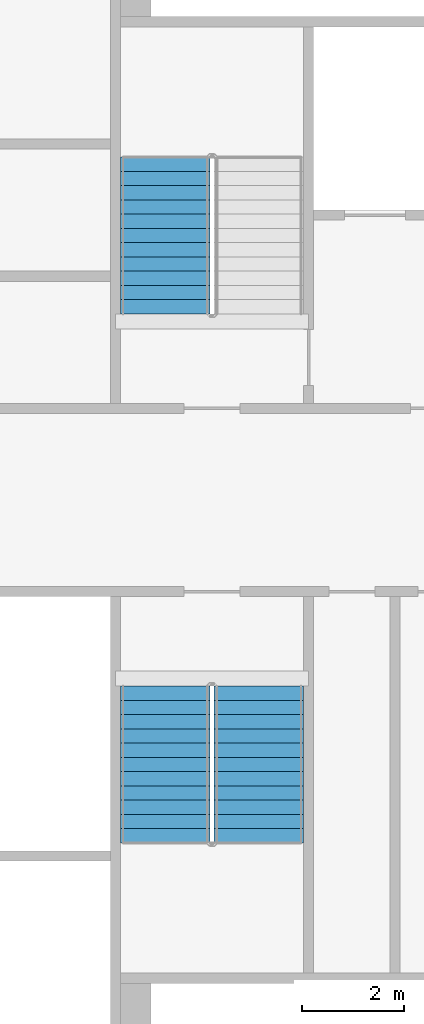
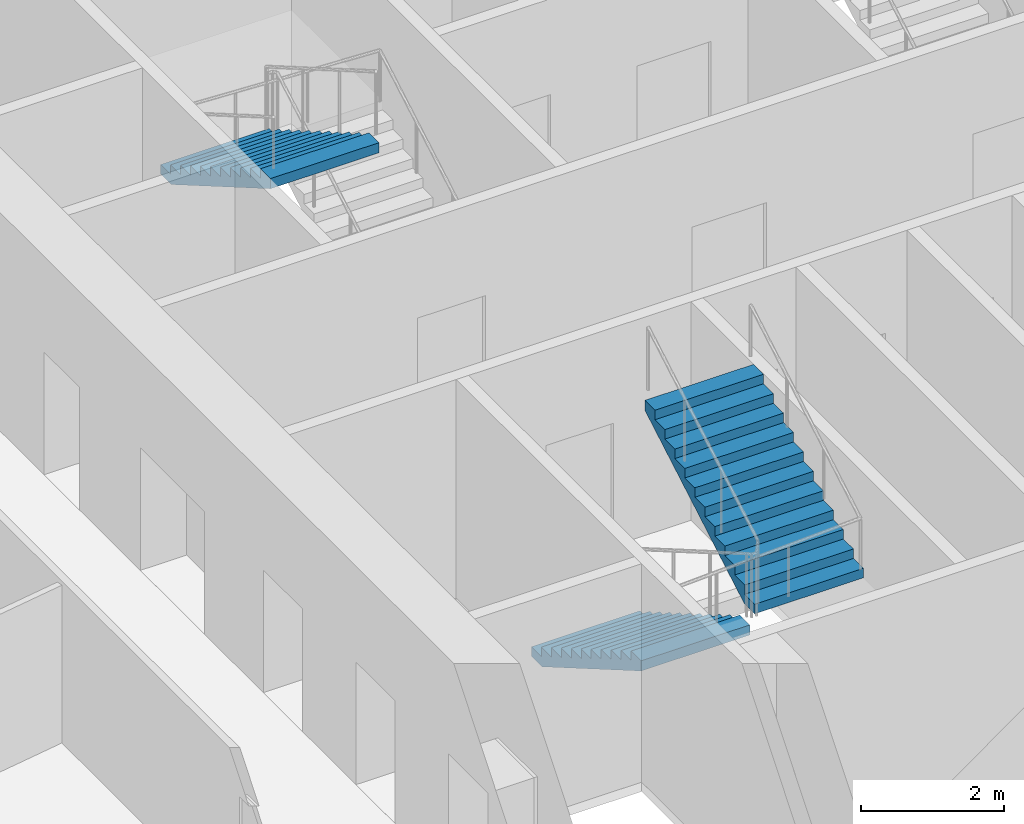
# One storey, part 16 of 24: 3 stair flights, 2 elements without a shape of their own.
"""IFC4 building model written with IfcOpenShell, lengths in metres."""

from ifc_helpers import new_model, si_unit, direction, frame, origin, place, context, subcontext, project, spatial, faceted_brep, material, type_object, element, aggregate, save


model = new_model("IFC4")

# Units and contexts
model_context = context("Model", 3, precision=1e-05, world=origin(), true_north=direction((0.0, 1.0)))
body_context = subcontext(model_context, "Body", "Model", "MODEL_VIEW")
ifc_project = project(units=[si_unit("LENGTHUNIT", "METRE"), si_unit("AREAUNIT", "SQUARE_METRE"), si_unit("VOLUMEUNIT", "CUBIC_METRE"), si_unit("PLANEANGLEUNIT", "RADIAN"), si_unit("MASSUNIT", "GRAM", prefix="KILO")], contexts=[model_context])

# Site, building, storey
site_placement = place(None, origin())
site = spatial("IfcSite", under=ifc_project, at=site_placement, CompositionType="ELEMENT")
building_placement = place(site_placement, origin())
building = spatial("IfcBuilding", under=site, at=building_placement, Name="Tarsis Ring Headquarters", CompositionType="ELEMENT")
storey_placement = place(building_placement, frame((0.0, 0.0, 92.800048828125)))
storey = spatial("IfcBuildingStorey", under=building, at=storey_placement, Name="L20", CompositionType="ELEMENT", Elevation=92.800048828125)

# Stair, stair flight
ifc_material_1 = material(Name="Core stair 1760")
stair_type = type_object("IfcStairType", Name="Core stair 1760", PredefinedType="HALF_TURN_STAIR", material=ifc_material_1)
stair_1_placement = place(storey_placement, origin())
stair_1 = element("IfcStair", 1, at=stair_1_placement, inside=storey, type_object=stair_type, Name="L20 Firefighting stair", PredefinedType="HALF_TURN_STAIR")
ifc_material_2 = material(Name="Concrete C40/50", Category="concrete")
stair_flight_type = type_object("IfcStairFlightType", Name="Core stair flight 1760", PredefinedType="STRAIGHT", material=ifc_material_2)
stair_flight_1_placement = place(storey_placement, frame((-5.419921875, 6.739990234375, 1.949951171875), z_axis=(0.0, 0.0, 1.0), x_axis=(0.0, -1.0, 0.0)))
stair_flight_1 = element("IfcStairFlight", 2, at=stair_flight_1_placement, type_object=stair_flight_type, Name="Stair ST1 flight 2", NumberOfRisers=12, NumberOfTreads=11, PredefinedType="STRAIGHT", RiserHeight=0.1625, TreadLength=0.28, context=body_context, shape_type="Brep", body=[
    faceted_brep([(0.0, 0.8798828125, 0.0), (0.0, 0.8798828125, 0.16259765625), (0.280029296875, 0.8798828125, 0.16259765625), (0.280029296875, 0.8798828125, 0.324951171875), (0.56005859375, 0.8798828125, 0.324951171875), (0.56005859375, 0.8798828125, 0.487548828125), (0.840087890625, 0.8798828125, 0.487548828125), (0.840087890625, 0.8798828125, 0.64990234375), (1.1201171875, 0.8798828125, 0.64990234375), (1.1201171875, 0.8798828125, 0.8125), (1.39990234375, 0.8798828125, 0.8125), (1.39990234375, 0.8798828125, 0.97509765625), (1.679931640625, 0.8798828125, 0.97509765625), (1.679931640625, 0.8798828125, 1.137451171875), (1.9599609375, 0.8798828125, 1.137451171875), (1.9599609375, 0.8798828125, 1.300048828125), (2.239990234375, 0.8798828125, 1.300048828125), (2.239990234375, 0.8798828125, 1.46240234375), (2.52001953125, 0.8798828125, 1.46240234375), (2.52001953125, 0.8798828125, 1.625), (2.800048828125, 0.8798828125, 1.625), (2.800048828125, 0.8798828125, 1.78759765625), (3.080078125, 0.8798828125, 1.78759765625), (3.080078125, 0.8798828125, 1.6142578125), (0.298583984375, 0.8798828125, 0.0), (0.298583984375, -0.8798828125, 0.0), (3.080078125, -0.8798828125, 1.6142578125), (3.080078125, -0.8798828125, 1.78759765625), (2.800048828125, -0.8798828125, 1.78759765625), (2.800048828125, -0.8798828125, 1.625), (2.52001953125, -0.8798828125, 1.625), (2.52001953125, -0.8798828125, 1.46240234375), (2.239990234375, -0.8798828125, 1.46240234375), (2.239990234375, -0.8798828125, 1.300048828125), (1.9599609375, -0.8798828125, 1.300048828125), (1.9599609375, -0.8798828125, 1.137451171875), (1.679931640625, -0.8798828125, 1.137451171875), (1.679931640625, -0.8798828125, 0.97509765625), (1.39990234375, -0.8798828125, 0.97509765625), (1.39990234375, -0.8798828125, 0.8125), (1.1201171875, -0.8798828125, 0.8125), (1.1201171875, -0.8798828125, 0.64990234375), (0.840087890625, -0.8798828125, 0.64990234375), (0.840087890625, -0.8798828125, 0.487548828125), (0.56005859375, -0.8798828125, 0.487548828125), (0.56005859375, -0.8798828125, 0.324951171875), (0.280029296875, -0.8798828125, 0.324951171875), (0.280029296875, -0.8798828125, 0.16259765625), (0.0, -0.8798828125, 0.16259765625), (0.0, -0.8798828125, 0.0), (0.0, -0.43994140625, 0.16259765625), (0.0, -0.43994140625, 0.0), (0.0, 0.0, 0.16259765625), (0.0, 0.0, 0.0), (0.0, 0.43994140625, 0.16259765625), (0.0, 0.43994140625, 0.0), (0.280029296875, -0.43994140625, 0.16259765625), (0.280029296875, 0.0, 0.16259765625), (0.280029296875, 0.43994140625, 0.16259765625), (0.280029296875, -0.43994140625, 0.324951171875), (0.280029296875, 0.0, 0.324951171875), (0.280029296875, 0.43994140625, 0.324951171875), (0.56005859375, -0.43994140625, 0.324951171875), (0.56005859375, 0.0, 0.324951171875), (0.56005859375, 0.43994140625, 0.324951171875), (0.56005859375, -0.43994140625, 0.487548828125), (0.56005859375, 0.0, 0.487548828125), (0.56005859375, 0.43994140625, 0.487548828125), (0.840087890625, -0.43994140625, 0.487548828125), (0.840087890625, 0.0, 0.487548828125), (0.840087890625, 0.43994140625, 0.487548828125), (0.840087890625, -0.43994140625, 0.64990234375), (0.840087890625, 0.0, 0.64990234375), (0.840087890625, 0.43994140625, 0.64990234375), (1.1201171875, -0.43994140625, 0.64990234375), (1.1201171875, 0.0, 0.64990234375), (1.1201171875, 0.43994140625, 0.64990234375), (1.1201171875, -0.43994140625, 0.8125), (1.1201171875, 0.0, 0.8125), (1.1201171875, 0.43994140625, 0.8125), (1.39990234375, -0.43994140625, 0.8125), (1.39990234375, 0.0, 0.8125), (1.39990234375, 0.43994140625, 0.8125), (1.39990234375, -0.43994140625, 0.97509765625), (1.39990234375, 0.0, 0.97509765625), (1.39990234375, 0.43994140625, 0.97509765625), (1.679931640625, -0.43994140625, 0.97509765625), (1.679931640625, 0.0, 0.97509765625), (1.679931640625, 0.43994140625, 0.97509765625), (1.679931640625, -0.43994140625, 1.137451171875), (1.679931640625, 0.0, 1.137451171875), (1.679931640625, 0.43994140625, 1.137451171875), (1.9599609375, -0.43994140625, 1.137451171875), (1.9599609375, 0.0, 1.137451171875), (1.9599609375, 0.43994140625, 1.137451171875), (1.9599609375, -0.43994140625, 1.300048828125), (1.9599609375, 0.0, 1.300048828125), (1.9599609375, 0.43994140625, 1.300048828125), (2.239990234375, -0.43994140625, 1.300048828125), (2.239990234375, 0.0, 1.300048828125), (2.239990234375, 0.43994140625, 1.300048828125), (2.239990234375, -0.43994140625, 1.46240234375), (2.239990234375, 0.0, 1.46240234375), (2.239990234375, 0.43994140625, 1.46240234375), (2.52001953125, -0.43994140625, 1.46240234375), (2.52001953125, 0.0, 1.46240234375), (2.52001953125, 0.43994140625, 1.46240234375), (2.52001953125, -0.43994140625, 1.625), (2.52001953125, 0.0, 1.625), (2.52001953125, 0.43994140625, 1.625), (2.800048828125, -0.43994140625, 1.625), (2.800048828125, 0.0, 1.625), (2.800048828125, 0.43994140625, 1.625), (2.800048828125, -0.43994140625, 1.78759765625), (2.800048828125, 0.0, 1.78759765625), (2.800048828125, 0.43994140625, 1.78759765625), (3.080078125, -0.43994140625, 1.78759765625), (3.080078125, 0.0, 1.78759765625), (3.080078125, 0.43994140625, 1.78759765625), (3.080078125, -0.43994140625, 1.6142578125), (3.080078125, 0.0, 1.6142578125), (3.080078125, 0.43994140625, 1.6142578125), (0.298583984375, -0.43994140625, 0.0), (0.298583984375, 0.0, 0.0), (0.298583984375, 0.43994140625, 0.0)], [[[0, 1, 2, 3, 4, 5, 6, 7, 8, 9, 10, 11, 12, 13, 14, 15, 16, 17, 18, 19, 20, 21, 22, 23, 24]], [[25, 26, 27, 28, 29, 30, 31, 32, 33, 34, 35, 36, 37, 38, 39, 40, 41, 42, 43, 44, 45, 46, 47, 48, 49]], [[49, 48, 50, 51]], [[51, 50, 52, 53]], [[53, 52, 54, 55]], [[55, 54, 1, 0]], [[48, 47, 56, 50]], [[50, 56, 57, 52]], [[52, 57, 58, 54]], [[54, 58, 2, 1]], [[47, 46, 59, 56]], [[56, 59, 60, 57]], [[57, 60, 61, 58]], [[58, 61, 3, 2]], [[46, 45, 62, 59]], [[59, 62, 63, 60]], [[60, 63, 64, 61]], [[61, 64, 4, 3]], [[45, 44, 65, 62]], [[62, 65, 66, 63]], [[63, 66, 67, 64]], [[64, 67, 5, 4]], [[44, 43, 68, 65]], [[65, 68, 69, 66]], [[66, 69, 70, 67]], [[67, 70, 6, 5]], [[43, 42, 71, 68]], [[68, 71, 72, 69]], [[69, 72, 73, 70]], [[70, 73, 7, 6]], [[42, 41, 74, 71]], [[71, 74, 75, 72]], [[72, 75, 76, 73]], [[73, 76, 8, 7]], [[41, 40, 77, 74]], [[74, 77, 78, 75]], [[75, 78, 79, 76]], [[76, 79, 9, 8]], [[40, 39, 80, 77]], [[77, 80, 81, 78]], [[78, 81, 82, 79]], [[79, 82, 10, 9]], [[39, 38, 83, 80]], [[80, 83, 84, 81]], [[81, 84, 85, 82]], [[82, 85, 11, 10]], [[38, 37, 86, 83]], [[83, 86, 87, 84]], [[84, 87, 88, 85]], [[85, 88, 12, 11]], [[37, 36, 89, 86]], [[86, 89, 90, 87]], [[87, 90, 91, 88]], [[88, 91, 13, 12]], [[36, 35, 92, 89]], [[89, 92, 93, 90]], [[90, 93, 94, 91]], [[91, 94, 14, 13]], [[35, 34, 95, 92]], [[92, 95, 96, 93]], [[93, 96, 97, 94]], [[94, 97, 15, 14]], [[34, 33, 98, 95]], [[95, 98, 99, 96]], [[96, 99, 100, 97]], [[97, 100, 16, 15]], [[33, 32, 101, 98]], [[98, 101, 102, 99]], [[99, 102, 103, 100]], [[100, 103, 17, 16]], [[32, 31, 104, 101]], [[101, 104, 105, 102]], [[102, 105, 106, 103]], [[103, 106, 18, 17]], [[31, 30, 107, 104]], [[104, 107, 108, 105]], [[105, 108, 109, 106]], [[106, 109, 19, 18]], [[30, 29, 110, 107]], [[107, 110, 111, 108]], [[108, 111, 112, 109]], [[109, 112, 20, 19]], [[29, 28, 113, 110]], [[110, 113, 114, 111]], [[111, 114, 115, 112]], [[112, 115, 21, 20]], [[28, 27, 116, 113]], [[113, 116, 117, 114]], [[114, 117, 118, 115]], [[115, 118, 22, 21]], [[27, 26, 119, 116]], [[116, 119, 120, 117]], [[117, 120, 121, 118]], [[118, 121, 23, 22]], [[26, 25, 122, 119]], [[119, 122, 123, 120]], [[120, 123, 124, 121]], [[121, 124, 24, 23]], [[25, 49, 51, 122]], [[122, 51, 53, 123]], [[123, 53, 55, 124]], [[124, 55, 0, 24]]]),
])
aggregate(stair_1, [stair_flight_1])

# Stair, stair flights
stair_2_placement = place(storey_placement, origin())
stair_2 = element("IfcStair", 3, at=stair_2_placement, inside=storey, type_object=stair_type, Name="L20 Exit stair C", PredefinedType="HALF_TURN_STAIR")
stair_flight_2_placement = place(storey_placement, frame((-5.419921875, -3.659912109375, 0.0), z_axis=(0.0, 0.0, 1.0), x_axis=(0.0, -1.0, 0.0)))
stair_flight_2 = element("IfcStairFlight", 4, at=stair_flight_2_placement, type_object=stair_flight_type, Name="Stair ST3 flight 1", NumberOfRisers=12, NumberOfTreads=11, PredefinedType="STRAIGHT", RiserHeight=0.1625, TreadLength=0.28, context=body_context, shape_type="Brep", body=[
    faceted_brep([(0.0, 0.8798828125, 0.0), (0.0, 0.8798828125, 0.16259765625), (0.280029296875, 0.8798828125, 0.16259765625), (0.280029296875, 0.8798828125, 0.324951171875), (0.56005859375, 0.8798828125, 0.324951171875), (0.56005859375, 0.8798828125, 0.487548828125), (0.840087890625, 0.8798828125, 0.487548828125), (0.840087890625, 0.8798828125, 0.64990234375), (1.1201171875, 0.8798828125, 0.64990234375), (1.1201171875, 0.8798828125, 0.8125), (1.39990234375, 0.8798828125, 0.8125), (1.39990234375, 0.8798828125, 0.97509765625), (1.679931640625, 0.8798828125, 0.97509765625), (1.679931640625, 0.8798828125, 1.137451171875), (1.9599609375, 0.8798828125, 1.137451171875), (1.9599609375, 0.8798828125, 1.300048828125), (2.239990234375, 0.8798828125, 1.300048828125), (2.239990234375, 0.8798828125, 1.46240234375), (2.52001953125, 0.8798828125, 1.46240234375), (2.52001953125, 0.8798828125, 1.625), (2.800048828125, 0.8798828125, 1.625), (2.800048828125, 0.8798828125, 1.78759765625), (3.080078125, 0.8798828125, 1.78759765625), (3.080078125, 0.8798828125, 1.6142578125), (0.298583984375, 0.8798828125, 0.0), (0.298583984375, -0.8798828125, 0.0), (3.080078125, -0.8798828125, 1.6142578125), (3.080078125, -0.8798828125, 1.78759765625), (2.800048828125, -0.8798828125, 1.78759765625), (2.800048828125, -0.8798828125, 1.625), (2.52001953125, -0.8798828125, 1.625), (2.52001953125, -0.8798828125, 1.46240234375), (2.239990234375, -0.8798828125, 1.46240234375), (2.239990234375, -0.8798828125, 1.300048828125), (1.9599609375, -0.8798828125, 1.300048828125), (1.9599609375, -0.8798828125, 1.137451171875), (1.679931640625, -0.8798828125, 1.137451171875), (1.679931640625, -0.8798828125, 0.97509765625), (1.39990234375, -0.8798828125, 0.97509765625), (1.39990234375, -0.8798828125, 0.8125), (1.1201171875, -0.8798828125, 0.8125), (1.1201171875, -0.8798828125, 0.64990234375), (0.840087890625, -0.8798828125, 0.64990234375), (0.840087890625, -0.8798828125, 0.487548828125), (0.56005859375, -0.8798828125, 0.487548828125), (0.56005859375, -0.8798828125, 0.324951171875), (0.280029296875, -0.8798828125, 0.324951171875), (0.280029296875, -0.8798828125, 0.16259765625), (0.0, -0.8798828125, 0.16259765625), (0.0, -0.8798828125, 0.0), (0.0, -0.43994140625, 0.16259765625), (0.0, -0.43994140625, 0.0), (0.0, 0.0, 0.16259765625), (0.0, 0.0, 0.0), (0.0, 0.43994140625, 0.16259765625), (0.0, 0.43994140625, 0.0), (0.280029296875, -0.43994140625, 0.16259765625), (0.280029296875, 0.0, 0.16259765625), (0.280029296875, 0.43994140625, 0.16259765625), (0.280029296875, -0.43994140625, 0.324951171875), (0.280029296875, 0.0, 0.324951171875), (0.280029296875, 0.43994140625, 0.324951171875), (0.56005859375, -0.43994140625, 0.324951171875), (0.56005859375, 0.0, 0.324951171875), (0.56005859375, 0.43994140625, 0.324951171875), (0.56005859375, -0.43994140625, 0.487548828125), (0.56005859375, 0.0, 0.487548828125), (0.56005859375, 0.43994140625, 0.487548828125), (0.840087890625, -0.43994140625, 0.487548828125), (0.840087890625, 0.0, 0.487548828125), (0.840087890625, 0.43994140625, 0.487548828125), (0.840087890625, -0.43994140625, 0.64990234375), (0.840087890625, 0.0, 0.64990234375), (0.840087890625, 0.43994140625, 0.64990234375), (1.1201171875, -0.43994140625, 0.64990234375), (1.1201171875, 0.0, 0.64990234375), (1.1201171875, 0.43994140625, 0.64990234375), (1.1201171875, -0.43994140625, 0.8125), (1.1201171875, 0.0, 0.8125), (1.1201171875, 0.43994140625, 0.8125), (1.39990234375, -0.43994140625, 0.8125), (1.39990234375, 0.0, 0.8125), (1.39990234375, 0.43994140625, 0.8125), (1.39990234375, -0.43994140625, 0.97509765625), (1.39990234375, 0.0, 0.97509765625), (1.39990234375, 0.43994140625, 0.97509765625), (1.679931640625, -0.43994140625, 0.97509765625), (1.679931640625, 0.0, 0.97509765625), (1.679931640625, 0.43994140625, 0.97509765625), (1.679931640625, -0.43994140625, 1.137451171875), (1.679931640625, 0.0, 1.137451171875), (1.679931640625, 0.43994140625, 1.137451171875), (1.9599609375, -0.43994140625, 1.137451171875), (1.9599609375, 0.0, 1.137451171875), (1.9599609375, 0.43994140625, 1.137451171875), (1.9599609375, -0.43994140625, 1.300048828125), (1.9599609375, 0.0, 1.300048828125), (1.9599609375, 0.43994140625, 1.300048828125), (2.239990234375, -0.43994140625, 1.300048828125), (2.239990234375, 0.0, 1.300048828125), (2.239990234375, 0.43994140625, 1.300048828125), (2.239990234375, -0.43994140625, 1.46240234375), (2.239990234375, 0.0, 1.46240234375), (2.239990234375, 0.43994140625, 1.46240234375), (2.52001953125, -0.43994140625, 1.46240234375), (2.52001953125, 0.0, 1.46240234375), (2.52001953125, 0.43994140625, 1.46240234375), (2.52001953125, -0.43994140625, 1.625), (2.52001953125, 0.0, 1.625), (2.52001953125, 0.43994140625, 1.625), (2.800048828125, -0.43994140625, 1.625), (2.800048828125, 0.0, 1.625), (2.800048828125, 0.43994140625, 1.625), (2.800048828125, -0.43994140625, 1.78759765625), (2.800048828125, 0.0, 1.78759765625), (2.800048828125, 0.43994140625, 1.78759765625), (3.080078125, -0.43994140625, 1.78759765625), (3.080078125, 0.0, 1.78759765625), (3.080078125, 0.43994140625, 1.78759765625), (3.080078125, -0.43994140625, 1.6142578125), (3.080078125, 0.0, 1.6142578125), (3.080078125, 0.43994140625, 1.6142578125), (0.298583984375, -0.43994140625, 0.0), (0.298583984375, 0.0, 0.0), (0.298583984375, 0.43994140625, 0.0)], [[[0, 1, 2, 3, 4, 5, 6, 7, 8, 9, 10, 11, 12, 13, 14, 15, 16, 17, 18, 19, 20, 21, 22, 23, 24]], [[25, 26, 27, 28, 29, 30, 31, 32, 33, 34, 35, 36, 37, 38, 39, 40, 41, 42, 43, 44, 45, 46, 47, 48, 49]], [[49, 48, 50, 51]], [[51, 50, 52, 53]], [[53, 52, 54, 55]], [[55, 54, 1, 0]], [[48, 47, 56, 50]], [[50, 56, 57, 52]], [[52, 57, 58, 54]], [[54, 58, 2, 1]], [[47, 46, 59, 56]], [[56, 59, 60, 57]], [[57, 60, 61, 58]], [[58, 61, 3, 2]], [[46, 45, 62, 59]], [[59, 62, 63, 60]], [[60, 63, 64, 61]], [[61, 64, 4, 3]], [[45, 44, 65, 62]], [[62, 65, 66, 63]], [[63, 66, 67, 64]], [[64, 67, 5, 4]], [[44, 43, 68, 65]], [[65, 68, 69, 66]], [[66, 69, 70, 67]], [[67, 70, 6, 5]], [[43, 42, 71, 68]], [[68, 71, 72, 69]], [[69, 72, 73, 70]], [[70, 73, 7, 6]], [[42, 41, 74, 71]], [[71, 74, 75, 72]], [[72, 75, 76, 73]], [[73, 76, 8, 7]], [[41, 40, 77, 74]], [[74, 77, 78, 75]], [[75, 78, 79, 76]], [[76, 79, 9, 8]], [[40, 39, 80, 77]], [[77, 80, 81, 78]], [[78, 81, 82, 79]], [[79, 82, 10, 9]], [[39, 38, 83, 80]], [[80, 83, 84, 81]], [[81, 84, 85, 82]], [[82, 85, 11, 10]], [[38, 37, 86, 83]], [[83, 86, 87, 84]], [[84, 87, 88, 85]], [[85, 88, 12, 11]], [[37, 36, 89, 86]], [[86, 89, 90, 87]], [[87, 90, 91, 88]], [[88, 91, 13, 12]], [[36, 35, 92, 89]], [[89, 92, 93, 90]], [[90, 93, 94, 91]], [[91, 94, 14, 13]], [[35, 34, 95, 92]], [[92, 95, 96, 93]], [[93, 96, 97, 94]], [[94, 97, 15, 14]], [[34, 33, 98, 95]], [[95, 98, 99, 96]], [[96, 99, 100, 97]], [[97, 100, 16, 15]], [[33, 32, 101, 98]], [[98, 101, 102, 99]], [[99, 102, 103, 100]], [[100, 103, 17, 16]], [[32, 31, 104, 101]], [[101, 104, 105, 102]], [[102, 105, 106, 103]], [[103, 106, 18, 17]], [[31, 30, 107, 104]], [[104, 107, 108, 105]], [[105, 108, 109, 106]], [[106, 109, 19, 18]], [[30, 29, 110, 107]], [[107, 110, 111, 108]], [[108, 111, 112, 109]], [[109, 112, 20, 19]], [[29, 28, 113, 110]], [[110, 113, 114, 111]], [[111, 114, 115, 112]], [[112, 115, 21, 20]], [[28, 27, 116, 113]], [[113, 116, 117, 114]], [[114, 117, 118, 115]], [[115, 118, 22, 21]], [[27, 26, 119, 116]], [[116, 119, 120, 117]], [[117, 120, 121, 118]], [[118, 121, 23, 22]], [[26, 25, 122, 119]], [[119, 122, 123, 120]], [[120, 123, 124, 121]], [[121, 124, 24, 23]], [[25, 49, 51, 122]], [[122, 51, 53, 123]], [[123, 53, 55, 124]], [[124, 55, 0, 24]]]),
])
stair_flight_3_placement = place(storey_placement, frame((-3.580078125, -6.739990234375, 1.949951171875), z_axis=(0.0, 0.0, 1.0), x_axis=(0.0, 1.0, 0.0)))
stair_flight_3 = element("IfcStairFlight", 5, at=stair_flight_3_placement, type_object=stair_flight_type, Name="Stair ST3 flight 2", NumberOfRisers=12, NumberOfTreads=11, PredefinedType="STRAIGHT", RiserHeight=0.1625, TreadLength=0.28, context=body_context, shape_type="Brep", body=[
    faceted_brep([(0.0, 0.8798828125, 0.0), (0.0, 0.8798828125, 0.16259765625), (0.280029296875, 0.8798828125, 0.16259765625), (0.280029296875, 0.8798828125, 0.324951171875), (0.56005859375, 0.8798828125, 0.324951171875), (0.56005859375, 0.8798828125, 0.487548828125), (0.840087890625, 0.8798828125, 0.487548828125), (0.840087890625, 0.8798828125, 0.64990234375), (1.1201171875, 0.8798828125, 0.64990234375), (1.1201171875, 0.8798828125, 0.8125), (1.39990234375, 0.8798828125, 0.8125), (1.39990234375, 0.8798828125, 0.97509765625), (1.679931640625, 0.8798828125, 0.97509765625), (1.679931640625, 0.8798828125, 1.137451171875), (1.9599609375, 0.8798828125, 1.137451171875), (1.9599609375, 0.8798828125, 1.300048828125), (2.239990234375, 0.8798828125, 1.300048828125), (2.239990234375, 0.8798828125, 1.46240234375), (2.52001953125, 0.8798828125, 1.46240234375), (2.52001953125, 0.8798828125, 1.625), (2.800048828125, 0.8798828125, 1.625), (2.800048828125, 0.8798828125, 1.78759765625), (3.080078125, 0.8798828125, 1.78759765625), (3.080078125, 0.8798828125, 1.6142578125), (0.298583984375, 0.8798828125, 0.0), (0.298583984375, -0.8798828125, 0.0), (3.080078125, -0.8798828125, 1.6142578125), (3.080078125, -0.8798828125, 1.78759765625), (2.800048828125, -0.8798828125, 1.78759765625), (2.800048828125, -0.8798828125, 1.625), (2.52001953125, -0.8798828125, 1.625), (2.52001953125, -0.8798828125, 1.46240234375), (2.239990234375, -0.8798828125, 1.46240234375), (2.239990234375, -0.8798828125, 1.300048828125), (1.9599609375, -0.8798828125, 1.300048828125), (1.9599609375, -0.8798828125, 1.137451171875), (1.679931640625, -0.8798828125, 1.137451171875), (1.679931640625, -0.8798828125, 0.97509765625), (1.39990234375, -0.8798828125, 0.97509765625), (1.39990234375, -0.8798828125, 0.8125), (1.1201171875, -0.8798828125, 0.8125), (1.1201171875, -0.8798828125, 0.64990234375), (0.840087890625, -0.8798828125, 0.64990234375), (0.840087890625, -0.8798828125, 0.487548828125), (0.56005859375, -0.8798828125, 0.487548828125), (0.56005859375, -0.8798828125, 0.324951171875), (0.280029296875, -0.8798828125, 0.324951171875), (0.280029296875, -0.8798828125, 0.16259765625), (0.0, -0.8798828125, 0.16259765625), (0.0, -0.8798828125, 0.0), (0.0, -0.43994140625, 0.16259765625), (0.0, -0.43994140625, 0.0), (0.0, 0.0, 0.16259765625), (0.0, 0.0, 0.0), (0.0, 0.43994140625, 0.16259765625), (0.0, 0.43994140625, 0.0), (0.280029296875, -0.43994140625, 0.16259765625), (0.280029296875, 0.0, 0.16259765625), (0.280029296875, 0.43994140625, 0.16259765625), (0.280029296875, -0.43994140625, 0.324951171875), (0.280029296875, 0.0, 0.324951171875), (0.280029296875, 0.43994140625, 0.324951171875), (0.56005859375, -0.43994140625, 0.324951171875), (0.56005859375, 0.0, 0.324951171875), (0.56005859375, 0.43994140625, 0.324951171875), (0.56005859375, -0.43994140625, 0.487548828125), (0.56005859375, 0.0, 0.487548828125), (0.56005859375, 0.43994140625, 0.487548828125), (0.840087890625, -0.43994140625, 0.487548828125), (0.840087890625, 0.0, 0.487548828125), (0.840087890625, 0.43994140625, 0.487548828125), (0.840087890625, -0.43994140625, 0.64990234375), (0.840087890625, 0.0, 0.64990234375), (0.840087890625, 0.43994140625, 0.64990234375), (1.1201171875, -0.43994140625, 0.64990234375), (1.1201171875, 0.0, 0.64990234375), (1.1201171875, 0.43994140625, 0.64990234375), (1.1201171875, -0.43994140625, 0.8125), (1.1201171875, 0.0, 0.8125), (1.1201171875, 0.43994140625, 0.8125), (1.39990234375, -0.43994140625, 0.8125), (1.39990234375, 0.0, 0.8125), (1.39990234375, 0.43994140625, 0.8125), (1.39990234375, -0.43994140625, 0.97509765625), (1.39990234375, 0.0, 0.97509765625), (1.39990234375, 0.43994140625, 0.97509765625), (1.679931640625, -0.43994140625, 0.97509765625), (1.679931640625, 0.0, 0.97509765625), (1.679931640625, 0.43994140625, 0.97509765625), (1.679931640625, -0.43994140625, 1.137451171875), (1.679931640625, 0.0, 1.137451171875), (1.679931640625, 0.43994140625, 1.137451171875), (1.9599609375, -0.43994140625, 1.137451171875), (1.9599609375, 0.0, 1.137451171875), (1.9599609375, 0.43994140625, 1.137451171875), (1.9599609375, -0.43994140625, 1.300048828125), (1.9599609375, 0.0, 1.300048828125), (1.9599609375, 0.43994140625, 1.300048828125), (2.239990234375, -0.43994140625, 1.300048828125), (2.239990234375, 0.0, 1.300048828125), (2.239990234375, 0.43994140625, 1.300048828125), (2.239990234375, -0.43994140625, 1.46240234375), (2.239990234375, 0.0, 1.46240234375), (2.239990234375, 0.43994140625, 1.46240234375), (2.52001953125, -0.43994140625, 1.46240234375), (2.52001953125, 0.0, 1.46240234375), (2.52001953125, 0.43994140625, 1.46240234375), (2.52001953125, -0.43994140625, 1.625), (2.52001953125, 0.0, 1.625), (2.52001953125, 0.43994140625, 1.625), (2.800048828125, -0.43994140625, 1.625), (2.800048828125, 0.0, 1.625), (2.800048828125, 0.43994140625, 1.625), (2.800048828125, -0.43994140625, 1.78759765625), (2.800048828125, 0.0, 1.78759765625), (2.800048828125, 0.43994140625, 1.78759765625), (3.080078125, -0.43994140625, 1.78759765625), (3.080078125, 0.0, 1.78759765625), (3.080078125, 0.43994140625, 1.78759765625), (3.080078125, -0.43994140625, 1.6142578125), (3.080078125, 0.0, 1.6142578125), (3.080078125, 0.43994140625, 1.6142578125), (0.298583984375, -0.43994140625, 0.0), (0.298583984375, 0.0, 0.0), (0.298583984375, 0.43994140625, 0.0)], [[[0, 1, 2, 3, 4, 5, 6, 7, 8, 9, 10, 11, 12, 13, 14, 15, 16, 17, 18, 19, 20, 21, 22, 23, 24]], [[25, 26, 27, 28, 29, 30, 31, 32, 33, 34, 35, 36, 37, 38, 39, 40, 41, 42, 43, 44, 45, 46, 47, 48, 49]], [[49, 48, 50, 51]], [[51, 50, 52, 53]], [[53, 52, 54, 55]], [[55, 54, 1, 0]], [[48, 47, 56, 50]], [[50, 56, 57, 52]], [[52, 57, 58, 54]], [[54, 58, 2, 1]], [[47, 46, 59, 56]], [[56, 59, 60, 57]], [[57, 60, 61, 58]], [[58, 61, 3, 2]], [[46, 45, 62, 59]], [[59, 62, 63, 60]], [[60, 63, 64, 61]], [[61, 64, 4, 3]], [[45, 44, 65, 62]], [[62, 65, 66, 63]], [[63, 66, 67, 64]], [[64, 67, 5, 4]], [[44, 43, 68, 65]], [[65, 68, 69, 66]], [[66, 69, 70, 67]], [[67, 70, 6, 5]], [[43, 42, 71, 68]], [[68, 71, 72, 69]], [[69, 72, 73, 70]], [[70, 73, 7, 6]], [[42, 41, 74, 71]], [[71, 74, 75, 72]], [[72, 75, 76, 73]], [[73, 76, 8, 7]], [[41, 40, 77, 74]], [[74, 77, 78, 75]], [[75, 78, 79, 76]], [[76, 79, 9, 8]], [[40, 39, 80, 77]], [[77, 80, 81, 78]], [[78, 81, 82, 79]], [[79, 82, 10, 9]], [[39, 38, 83, 80]], [[80, 83, 84, 81]], [[81, 84, 85, 82]], [[82, 85, 11, 10]], [[38, 37, 86, 83]], [[83, 86, 87, 84]], [[84, 87, 88, 85]], [[85, 88, 12, 11]], [[37, 36, 89, 86]], [[86, 89, 90, 87]], [[87, 90, 91, 88]], [[88, 91, 13, 12]], [[36, 35, 92, 89]], [[89, 92, 93, 90]], [[90, 93, 94, 91]], [[91, 94, 14, 13]], [[35, 34, 95, 92]], [[92, 95, 96, 93]], [[93, 96, 97, 94]], [[94, 97, 15, 14]], [[34, 33, 98, 95]], [[95, 98, 99, 96]], [[96, 99, 100, 97]], [[97, 100, 16, 15]], [[33, 32, 101, 98]], [[98, 101, 102, 99]], [[99, 102, 103, 100]], [[100, 103, 17, 16]], [[32, 31, 104, 101]], [[101, 104, 105, 102]], [[102, 105, 106, 103]], [[103, 106, 18, 17]], [[31, 30, 107, 104]], [[104, 107, 108, 105]], [[105, 108, 109, 106]], [[106, 109, 19, 18]], [[30, 29, 110, 107]], [[107, 110, 111, 108]], [[108, 111, 112, 109]], [[109, 112, 20, 19]], [[29, 28, 113, 110]], [[110, 113, 114, 111]], [[111, 114, 115, 112]], [[112, 115, 21, 20]], [[28, 27, 116, 113]], [[113, 116, 117, 114]], [[114, 117, 118, 115]], [[115, 118, 22, 21]], [[27, 26, 119, 116]], [[116, 119, 120, 117]], [[117, 120, 121, 118]], [[118, 121, 23, 22]], [[26, 25, 122, 119]], [[119, 122, 123, 120]], [[120, 123, 124, 121]], [[121, 124, 24, 23]], [[25, 49, 51, 122]], [[122, 51, 53, 123]], [[123, 53, 55, 124]], [[124, 55, 0, 24]]]),
])
aggregate(stair_2, [stair_flight_2, stair_flight_3])

save(model, "model.ifc")
